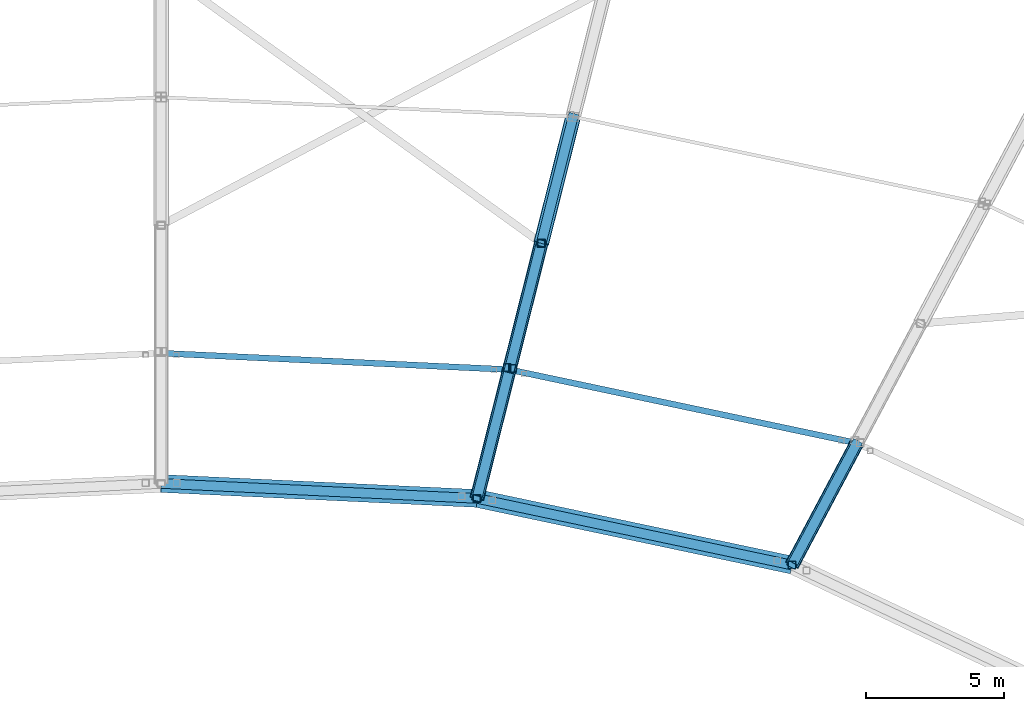
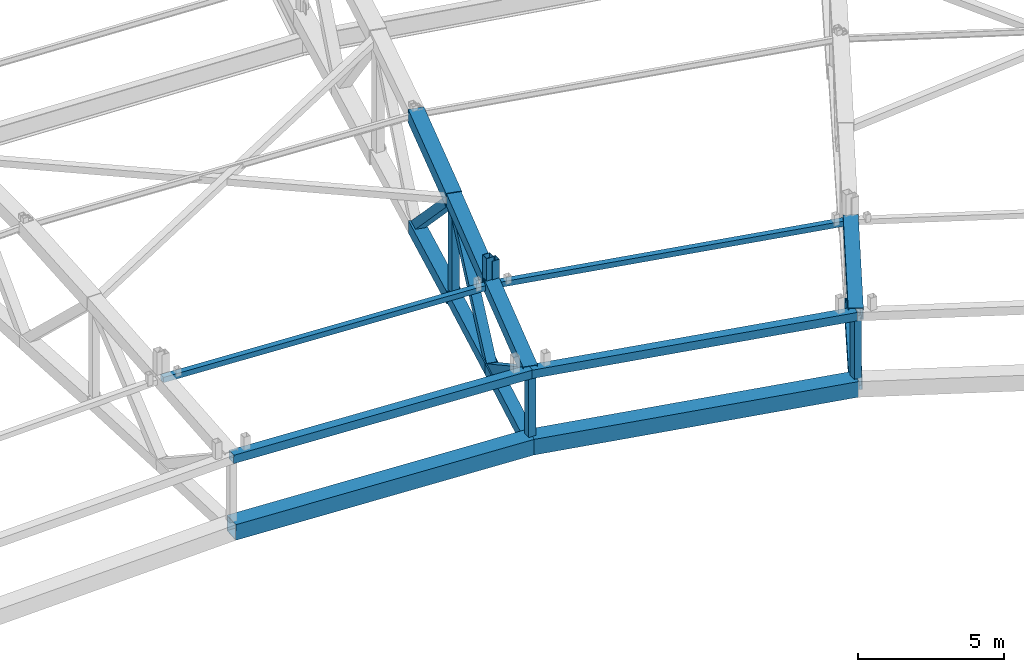
# One storey, part 78 of 162: 23 members.
"""IFC4 building model written with IfcOpenShell, lengths in metres."""

from ifc_helpers import new_model, si_unit, direction, frame, origin, origin_2d, place, context, subcontext, project, spatial, hollow_rectangle, extrude, material, material_profile, profile_set, type_object, element, save


model = new_model("IFC4")

# Units and contexts
model_context = context("Model", 3, precision=1e-05, world=origin(), true_north=direction((0.0, 1.0)))
body_context = subcontext(model_context, "Body", "Model", "MODEL_VIEW")
ifc_project = project(units=[si_unit("LENGTHUNIT", "METRE"), si_unit("AREAUNIT", "SQUARE_METRE"), si_unit("VOLUMEUNIT", "CUBIC_METRE"), si_unit("PLANEANGLEUNIT", "RADIAN"), si_unit("MASSUNIT", "GRAM", prefix="KILO")], contexts=[model_context])

# Site, building, storey
site_placement = place(None, origin())
site = spatial("IfcSite", under=ifc_project, at=site_placement, CompositionType="ELEMENT")
building_placement = place(site_placement, origin())
building = spatial("IfcBuilding", under=site, at=building_placement, Name="Kazemori Nagisa Stadium", CompositionType="ELEMENT")
storey_placement = place(building_placement, frame((0.0, 0.0, 36.719970703125)))
storey = spatial("IfcBuildingStorey", under=building, at=storey_placement, Name="RF", CompositionType="ELEMENT", Elevation=36.719970703125)

# Members
ifc_material = material(Name="Steel STKR490", Category="steel")
ifc_material_profile_1 = material_profile(ifc_material, hollow_rectangle(XDim=0.280029296875, YDim=0.280029296875, WallThickness=0.010009765625, at=origin_2d()), Name="SHS-280x280x10")
ifc_profile_set_1 = profile_set([ifc_material_profile_1], Name="Steel STKR490")
member_type_1 = type_object("IfcMemberType", Name="Member_ST-SHS280", PredefinedType="STUD", material=ifc_profile_set_1)
member_1_placement = place(storey_placement, frame((135.754150390625, 152.185791015625, 5.235107421875), z_axis=(0.0, 0.0, 1.0), x_axis=(1.0, 0.0, 0.0)))
element("IfcMember", 1, at=member_1_placement, inside=storey, type_object=member_type_1, Name="Canopy bearing stool B06-inner-3", PredefinedType="STUD", context=body_context, shape_type="SweptSolid", body=[
    extrude(hollow_rectangle(XDim=0.280029296875, YDim=0.280029296875, WallThickness=0.010009765625, at=origin_2d()), origin(), (0.0, 0.0, 1.0), 1.02392578125),
])
member_2_placement = place(storey_placement, frame((135.55126953125, 152.22021484375, 5.235107421875), z_axis=(0.0, 0.0, 1.0), x_axis=(1.0, 0.0, 0.0)))
element("IfcMember", 2, at=member_2_placement, inside=storey, type_object=member_type_1, Name="Canopy bearing stool B07-inner-4", PredefinedType="STUD", context=body_context, shape_type="SweptSolid", body=[
    extrude(hollow_rectangle(XDim=0.280029296875, YDim=0.280029296875, WallThickness=0.010009765625, at=origin_2d()), origin(), (0.0, 0.0, 1.0), 1.184814453125),
])
ifc_material_profile_2 = material_profile(ifc_material, hollow_rectangle(XDim=0.360107421875, YDim=0.360107421875, WallThickness=0.013916015625, at=origin_2d()), Name="SHS-360x360x14")
ifc_profile_set_2 = profile_set([ifc_material_profile_2], Name="Steel STKR490")
member_type_2 = type_object("IfcMemberType", Name="Member_TB-SHS360", PredefinedType="BRACE", material=ifc_profile_set_2)
member_3_placement = place(storey_placement, frame((148.2548828125, 149.473876953125, 1.64892578125), z_axis=(-0.400470479158, -0.75280808625, 0.522401551108), x_axis=(0.882852625081, -0.469650127636, 0.0)))
element("IfcMember", 3, at=member_3_placement, inside=storey, type_object=member_type_2, Name="Roof space truss diagonal RT-06-9", PredefinedType="BRACE", context=body_context, shape_type="SweptSolid", body=[
    extrude(hollow_rectangle(XDim=0.360107421875, YDim=0.360107421875, WallThickness=0.013916015625, at=origin_2d()), origin(), (0.0, 0.0, 1.0), 5.878662109375),
])
member_4_placement = place(storey_placement, frame((137.95654296875, 161.32080078125, 1.29296875), z_axis=(-0.180378146596, -0.715347763653, 0.67508614359), x_axis=(0.96964895622, -0.244501332721, 0.0)))
element("IfcMember", 4, at=member_4_placement, inside=storey, type_object=member_type_2, Name="Roof space truss diagonal RT-07-7", PredefinedType="BRACE", context=body_context, shape_type="SweptSolid", body=[
    extrude(hollow_rectangle(XDim=0.360107421875, YDim=0.360107421875, WallThickness=0.013916015625, at=origin_2d()), origin(), (0.0, 0.0, 1.0), 6.41552734375),
])
member_5_placement = place(storey_placement, frame((136.79931640625, 156.7314453125, 5.6240234375), z_axis=(-0.189151011333, -0.750257767467, -0.63351020297), x_axis=(0.969658101679, -0.244465060587, 0.0)))
element("IfcMember", 5, at=member_5_placement, inside=storey, type_object=member_type_2, Name="Roof space truss diagonal RT-07-8", PredefinedType="BRACE", context=body_context, shape_type="SweptSolid", body=[
    extrude(hollow_rectangle(XDim=0.360107421875, YDim=0.360107421875, WallThickness=0.013916015625, at=origin_2d()), origin(), (0.0, 0.0, 1.0), 6.11669921875),
])
member_6_placement = place(storey_placement, frame((135.642333984375, 152.142333984375, 1.7490234375), z_axis=(-0.20567846439, -0.815811037748, 0.540507835257), x_axis=(0.969657957975, -0.244465630583, 0.0)))
element("IfcMember", 6, at=member_6_placement, inside=storey, type_object=member_type_2, Name="Roof space truss diagonal RT-07-9", PredefinedType="BRACE", context=body_context, shape_type="SweptSolid", body=[
    extrude(hollow_rectangle(XDim=0.360107421875, YDim=0.360107421875, WallThickness=0.013916015625, at=origin_2d()), origin(), (0.0, 0.0, 1.0), 5.729736328125),
])
ifc_material_profile_3 = material_profile(ifc_material, hollow_rectangle(XDim=0.35009765625, YDim=0.35009765625, WallThickness=0.01611328125, at=origin_2d()), Name="SHS-350x350x16")
ifc_profile_set_3 = profile_set([ifc_material_profile_3], Name="Steel STKR490")
member_type_3 = type_object("IfcMemberType", Name="Member_TC-SHS350", PredefinedType="CHORD", material=ifc_profile_set_3)
member_7_placement = place(storey_placement, frame((145.900634765625, 145.04833984375, 4.719970703125), z_axis=(-0.978286636935, 0.206976173736, 0.01077587586), x_axis=(-0.206988191768, -0.97834344096, 0.0)))
element("IfcMember", 7, at=member_7_placement, inside=storey, type_object=member_type_3, Name="Roof tension ring beam upper TR-06", PredefinedType="CHORD", context=body_context, shape_type="SweptSolid", body=[
    extrude(hollow_rectangle(XDim=0.35009765625, YDim=0.35009765625, WallThickness=0.01611328125, at=origin_2d()), origin(), (0.0, 0.0, 1.0), 11.690673828125),
])
member_8_placement = place(storey_placement, frame((134.4638671875, 147.468017578125, 4.845947265625), z_axis=(-0.998816137593, 0.047222332087, 0.011677955097), x_axis=(-0.04722555238, -0.998884251153, 0.0)))
element("IfcMember", 8, at=member_8_placement, inside=storey, type_object=member_type_3, Name="Roof tension ring beam upper TR-07", PredefinedType="CHORD", context=body_context, shape_type="SweptSolid", body=[
    extrude(hollow_rectangle(XDim=0.35009765625, YDim=0.35009765625, WallThickness=0.01611328125, at=origin_2d()), origin(), (0.0, 0.0, 1.0), 11.4775390625),
])
ifc_material_profile_4 = material_profile(ifc_material, hollow_rectangle(XDim=0.4599609375, YDim=0.4599609375, WallThickness=0.01611328125, at=origin_2d()), Name="SHS-460x460x16")
ifc_profile_set_4 = profile_set([ifc_material_profile_4], Name="Steel STKR490")
member_type_4 = type_object("IfcMemberType", Name="Member_TC-SHS460", PredefinedType="CHORD", material=ifc_profile_set_4)
member_9_placement = place(storey_placement, frame((148.2548828125, 149.473876953125, 1.64892578125), z_axis=(-0.469461565989, -0.882498165164, 0.028334193861), x_axis=(0.882852625081, -0.469650127636, 0.0)))
element("IfcMember", 9, at=member_9_placement, inside=storey, type_object=member_type_4, Name="Roof space truss bottom chord RT-06-9", PredefinedType="CHORD", context=body_context, shape_type="SweptSolid", body=[
    extrude(hollow_rectangle(XDim=0.4599609375, YDim=0.4599609375, WallThickness=0.01611328125, at=origin_2d()), origin(), (0.0, 0.0, 1.0), 5.014892578125),
])
member_10_placement = place(storey_placement, frame((136.79931640625, 156.7314453125, 1.551025390625), z_axis=(-0.244251402641, -0.968810638413, 0.041799512037), x_axis=(0.969658101679, -0.244465060587, 0.0)))
element("IfcMember", 10, at=member_10_placement, inside=storey, type_object=member_type_4, Name="Roof space truss bottom chord RT-07-8", PredefinedType="CHORD", context=body_context, shape_type="SweptSolid", body=[
    extrude(hollow_rectangle(XDim=0.4599609375, YDim=0.4599609375, WallThickness=0.01611328125, at=origin_2d()), origin(), (0.0, 0.0, 1.0), 4.73681640625),
])
member_11_placement = place(storey_placement, frame((135.642333984375, 152.142333984375, 1.7490234375), z_axis=(-0.244332867625, -0.969131361828, 0.032952288549), x_axis=(0.969657957975, -0.244465630583, 0.0)))
element("IfcMember", 11, at=member_11_placement, inside=storey, type_object=member_type_4, Name="Roof space truss bottom chord RT-07-9", PredefinedType="CHORD", context=body_context, shape_type="SweptSolid", body=[
    extrude(hollow_rectangle(XDim=0.4599609375, YDim=0.4599609375, WallThickness=0.01611328125, at=origin_2d()), origin(), (0.0, 0.0, 1.0), 4.8232421875),
])
ifc_material_profile_5 = material_profile(ifc_material, hollow_rectangle(XDim=0.52001953125, YDim=0.52001953125, WallThickness=0.01904296875, at=origin_2d()), Name="SHS-520x520x19")
ifc_profile_set_5 = profile_set([ifc_material_profile_5], Name="Steel STKR490")
member_type_5 = type_object("IfcMemberType", Name="Member_TC-SHS520", PredefinedType="CHORD", material=ifc_profile_set_5)
member_12_placement = place(storey_placement, frame((148.2548828125, 149.473876953125, 5.09814453125), z_axis=(-0.46831929692, -0.880350917274, -0.075228309751), x_axis=(0.882852625081, -0.469650127636, 0.0)))
element("IfcMember", 12, at=member_12_placement, inside=storey, type_object=member_type_5, Name="Roof space truss top chord RT-06-9", PredefinedType="CHORD", context=body_context, shape_type="SweptSolid", body=[
    extrude(hollow_rectangle(XDim=0.52001953125, YDim=0.52001953125, WallThickness=0.01904296875, at=origin_2d()), origin(), (0.0, 0.0, 1.0), 5.027099609375),
])
member_13_placement = place(storey_placement, frame((137.95654296875, 161.32080078125, 1.29296875), z_axis=(-0.244138722514, -0.968210908402, 0.054441905), x_axis=(0.96964895622, -0.244501332721, 0.0)))
element("IfcMember", 13, at=member_13_placement, inside=storey, type_object=member_type_5, Name="Roof space truss bottom chord RT-07-7", PredefinedType="CHORD", context=body_context, shape_type="SweptSolid", body=[
    extrude(hollow_rectangle(XDim=0.52001953125, YDim=0.52001953125, WallThickness=0.01904296875, at=origin_2d()), origin(), (0.0, 0.0, 1.0), 4.739990234375),
])
member_14_placement = place(storey_placement, frame((136.79931640625, 156.7314453125, 5.6240234375), z_axis=(-0.243643790996, -0.966400578043, -0.081900096868), x_axis=(0.969658101679, -0.244465060587, 0.0)))
element("IfcMember", 14, at=member_14_placement, inside=storey, type_object=member_type_5, Name="Roof space truss top chord RT-07-8", PredefinedType="CHORD", context=body_context, shape_type="SweptSolid", body=[
    extrude(hollow_rectangle(XDim=0.52001953125, YDim=0.52001953125, WallThickness=0.01904296875, at=origin_2d()), origin(), (0.0, 0.0, 1.0), 4.748779296875),
])
member_15_placement = place(storey_placement, frame((135.642333984375, 152.142333984375, 5.235107421875), z_axis=(-0.243672893791, -0.966513616019, -0.080467079491), x_axis=(0.969657957975, -0.244465630583, 0.0)))
element("IfcMember", 15, at=member_15_placement, inside=storey, type_object=member_type_5, Name="Roof space truss top chord RT-07-9", PredefinedType="CHORD", context=body_context, shape_type="SweptSolid", body=[
    extrude(hollow_rectangle(XDim=0.52001953125, YDim=0.52001953125, WallThickness=0.01904296875, at=origin_2d()), origin(), (0.0, 0.0, 1.0), 4.836181640625),
])
ifc_material_profile_6 = material_profile(ifc_material, hollow_rectangle(XDim=0.56005859375, YDim=0.56005859375, WallThickness=0.02001953125, at=origin_2d()), Name="SHS-560x560x20")
ifc_profile_set_6 = profile_set([ifc_material_profile_6], Name="Steel STKR490")
member_type_6 = type_object("IfcMemberType", Name="Member_TC-SHS560", PredefinedType="CHORD", material=ifc_profile_set_6)
member_16_placement = place(storey_placement, frame((137.95654296875, 161.32080078125, 5.944091796875), z_axis=(-0.243944177821, -0.967439378625, -0.067470636524), x_axis=(0.96964895622, -0.244501332721, 0.0)))
element("IfcMember", 16, at=member_16_placement, inside=storey, type_object=member_type_6, Name="Roof space truss top chord RT-07-7", PredefinedType="CHORD", context=body_context, shape_type="SweptSolid", body=[
    extrude(hollow_rectangle(XDim=0.56005859375, YDim=0.56005859375, WallThickness=0.02001953125, at=origin_2d()), origin(), (0.0, 0.0, 1.0), 4.743896484375),
])
ifc_material_profile_7 = material_profile(ifc_material, hollow_rectangle(XDim=0.64990234375, YDim=0.64990234375, WallThickness=0.02490234375, at=origin_2d()), Name="SHS-650x650x25")
ifc_profile_set_7 = profile_set([ifc_material_profile_7], Name="Steel STKR490")
member_type_7 = type_object("IfcMemberType", Name="Member_TC-SHS650", PredefinedType="CHORD", material=ifc_profile_set_7)
member_17_placement = place(storey_placement, frame((145.900634765625, 145.04833984375, 1.791015625), z_axis=(-0.978294490591, 0.206977835335, 0.010003267392), x_axis=(-0.206988191768, -0.97834344096, 0.0)))
element("IfcMember", 17, at=member_17_placement, inside=storey, type_object=member_type_7, Name="Roof tension ring beam lower TR-06", PredefinedType="CHORD", context=body_context, shape_type="SweptSolid", body=[
    extrude(hollow_rectangle(XDim=0.64990234375, YDim=0.64990234375, WallThickness=0.02490234375, at=origin_2d()), origin(), (0.0, 0.0, 1.0), 11.6904296875),
])
member_18_placement = place(storey_placement, frame((134.4638671875, 147.468017578125, 1.907958984375), z_axis=(-0.998827752711, 0.04722288123, 0.010635784061), x_axis=(-0.04722555238, -0.998884251153, 0.0)))
element("IfcMember", 18, at=member_18_placement, inside=storey, type_object=member_type_7, Name="Roof tension ring beam lower TR-07", PredefinedType="CHORD", context=body_context, shape_type="SweptSolid", body=[
    extrude(hollow_rectangle(XDim=0.64990234375, YDim=0.64990234375, WallThickness=0.02490234375, at=origin_2d()), origin(), (0.0, 0.0, 1.0), 11.477294921875),
])
ifc_material_profile_8 = material_profile(ifc_material, hollow_rectangle(XDim=0.219970703125, YDim=0.219970703125, WallThickness=0.009033203125, at=origin_2d()), Name="SHS-220x220x9")
ifc_profile_set_8 = profile_set([ifc_material_profile_8], Name="Steel STKR490")
member_type_8 = type_object("IfcMemberType", Name="Member_TP-SHS220", PredefinedType="PURLIN", material=ifc_profile_set_8)
member_19_placement = place(storey_placement, frame((148.2548828125, 149.473876953125, 5.09814453125), z_axis=(-0.978287931146, 0.206977934756, 0.010623478627), x_axis=(-0.206989615333, -0.978343139775, 0.0)))
element("IfcMember", 19, at=member_19_placement, inside=storey, type_object=member_type_8, Name="Roof purlin TP-SHS220 B06-P8", PredefinedType="PURLIN", context=body_context, shape_type="SweptSolid", body=[
    extrude(hollow_rectangle(XDim=0.219970703125, YDim=0.219970703125, WallThickness=0.009033203125, at=origin_2d()), origin(), (0.0, 0.0, 1.0), 12.892578125),
])
member_20_placement = place(storey_placement, frame((135.642333984375, 152.142333984375, 5.235107421875), z_axis=(-0.998818879482, 0.047218365428, 0.011457397494), x_axis=(-0.047221464957, -0.998884444391, 0.0)))
element("IfcMember", 20, at=member_20_placement, inside=storey, type_object=member_type_8, Name="Roof purlin TP-SHS220 B07-P8", PredefinedType="PURLIN", context=body_context, shape_type="SweptSolid", body=[
    extrude(hollow_rectangle(XDim=0.219970703125, YDim=0.219970703125, WallThickness=0.009033203125, at=origin_2d()), origin(), (0.0, 0.0, 1.0), 12.6572265625),
])
ifc_material_profile_9 = material_profile(ifc_material, hollow_rectangle(XDim=0.280029296875, YDim=0.280029296875, WallThickness=0.010009765625, at=origin_2d()), Name="SHS-280x280x10")
ifc_profile_set_9 = profile_set([ifc_material_profile_9], Name="Steel STKR490")
member_type_9 = type_object("IfcMemberType", Name="Member_TS-SHS280", PredefinedType="STRUT", material=ifc_profile_set_9)
member_21_placement = place(storey_placement, frame((145.900634765625, 145.04833984375, 1.791015625), z_axis=(0.0, 0.0, 1.0), x_axis=(1.0, 0.0, 0.0)))
element("IfcMember", 21, at=member_21_placement, inside=storey, type_object=member_type_9, Name="Roof space truss strut RT-06-10", PredefinedType="STRUT", context=body_context, shape_type="SweptSolid", body=[
    extrude(hollow_rectangle(XDim=0.280029296875, YDim=0.280029296875, WallThickness=0.010009765625, at=origin_2d()), origin(), (0.0, 0.0, 1.0), 2.928955078125),
])
member_22_placement = place(storey_placement, frame((136.79931640625, 156.7314453125, 1.551025390625), z_axis=(0.0, 0.0, 1.0), x_axis=(1.0, 0.0, 0.0)))
element("IfcMember", 22, at=member_22_placement, inside=storey, type_object=member_type_9, Name="Roof space truss strut RT-07-8", PredefinedType="STRUT", context=body_context, shape_type="SweptSolid", body=[
    extrude(hollow_rectangle(XDim=0.280029296875, YDim=0.280029296875, WallThickness=0.010009765625, at=origin_2d()), origin(), (0.0, 0.0, 1.0), 4.072998046875),
])
member_23_placement = place(storey_placement, frame((134.4638671875, 147.468017578125, 1.907958984375), z_axis=(0.0, 0.0, 1.0), x_axis=(1.0, 0.0, 0.0)))
element("IfcMember", 23, at=member_23_placement, inside=storey, type_object=member_type_9, Name="Roof space truss strut RT-07-10", PredefinedType="STRUT", context=body_context, shape_type="SweptSolid", body=[
    extrude(hollow_rectangle(XDim=0.280029296875, YDim=0.280029296875, WallThickness=0.010009765625, at=origin_2d()), origin(), (0.0, 0.0, 1.0), 2.93798828125),
])

save(model, "model.ifc")
